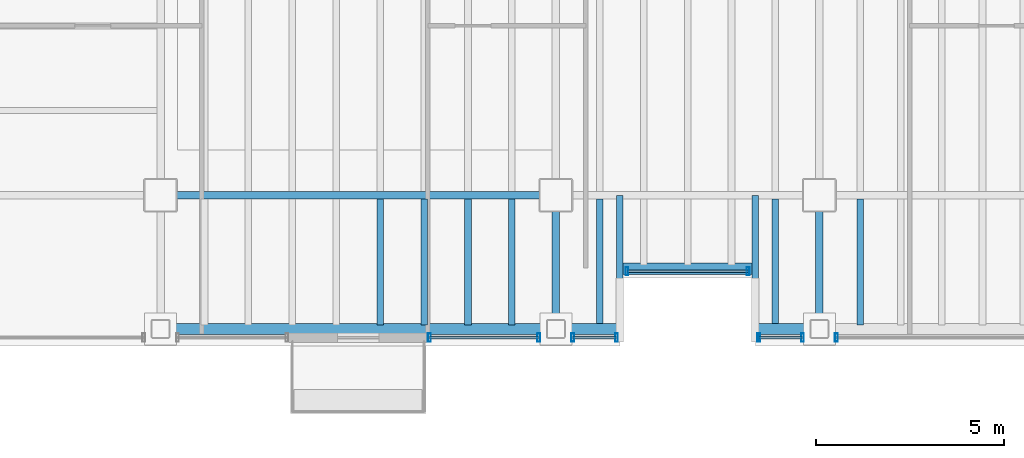
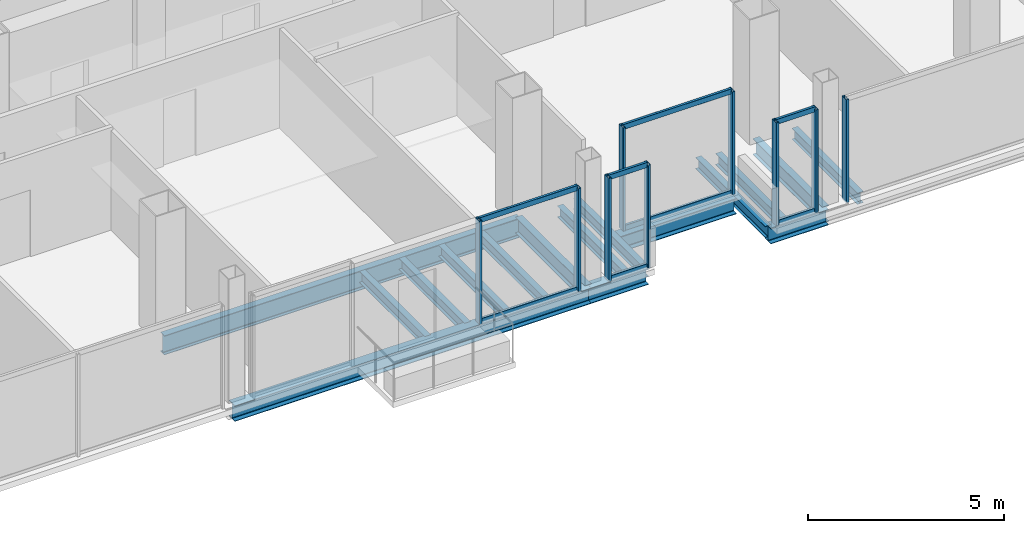
# One storey, part 4 of 19: 17 members, 16 beams, 5 elements without a shape of their own.
"""IFC4 building model written with IfcOpenShell, lengths in metres."""

from ifc_helpers import new_model, si_unit, direction, frame, origin, origin_2d, place, context, subcontext, project, spatial, hollow_rectangle, i_section, extrude, material, material_profile, profile_set, type_object, element, aggregate, save


model = new_model("IFC4")

# Units and contexts
model_context = context("Model", 3, precision=1e-05, world=origin(), true_north=direction((0.0, 1.0)))
body_context = subcontext(model_context, "Body", "Model", "MODEL_VIEW")
ifc_project = project(units=[si_unit("LENGTHUNIT", "METRE"), si_unit("AREAUNIT", "SQUARE_METRE"), si_unit("VOLUMEUNIT", "CUBIC_METRE"), si_unit("PLANEANGLEUNIT", "RADIAN"), si_unit("MASSUNIT", "GRAM", prefix="KILO")], contexts=[model_context])

# Site, building, storey
site_placement = place(None, origin())
site = spatial("IfcSite", under=ifc_project, at=site_placement, CompositionType="ELEMENT")
building_placement = place(site_placement, origin())
building = spatial("IfcBuilding", under=site, at=building_placement, Name="Noeulbin Bourse Tower", CompositionType="ELEMENT")
storey_placement = place(building_placement, frame((0.0, 0.0, 157.800048828125)))
storey = spatial("IfcBuildingStorey", under=building, at=storey_placement, Name="L39", CompositionType="ELEMENT", Elevation=157.800048828125)

# Beams
ifc_material_1 = material(Name="Steel S355", Category="steel")
ifc_material_profile_1 = material_profile(ifc_material_1, i_section(OverallWidth=0.199951171875, OverallDepth=0.5, WebThickness=0.010009765625, FlangeThickness=0.01611328125, FilletRadius=0.02001953125, at=origin_2d()), Name="H-500x200x10x16", Category="LoadBearing")
ifc_profile_set_1 = profile_set([ifc_material_profile_1], Name="Steel S355")
beam_type_1 = type_object("IfcBeamType", Name="BM-GRD-500", PredefinedType="USERDEFINED", material=ifc_profile_set_1)
for number, where, z_axis, x_axis, name in (
    (1, (24.0, 16.449951171875, -0.429931640625), (0.0, 1.0, 0.0), (-1.0, 0.0, 0.0), "Tower Primary Girder NS L39-2.1"),
    (2, (31.0, 16.449951171875, -0.429931640625), (0.0, 1.0, 0.0), (-1.0, 0.0, 0.0), "Tower Primary Girder NS L39-3.1"),
):
    element("IfcBeam", number, at=place(storey_placement, frame(where, z_axis=z_axis, x_axis=x_axis)), inside=storey, type_object=beam_type_1, Name=name, ObjectType="GIRDER", PredefinedType="USERDEFINED", context=body_context, shape_type="SweptSolid", body=[
        extrude(i_section(OverallWidth=0.199951171875, OverallDepth=0.5, WebThickness=0.010009765625, FlangeThickness=0.01611328125, FilletRadius=0.02001953125, at=origin_2d()), origin(), (0.0, 0.0, 1.0), 3.550048828125),
    ])
ifc_material_profile_2 = material_profile(ifc_material_1, i_section(OverallWidth=0.199951171875, OverallDepth=0.60009765625, WebThickness=0.010986328125, FlangeThickness=0.01708984375, FilletRadius=0.02197265625, at=origin_2d()), Name="H-600x200x11x17", Category="LoadBearing")
ifc_profile_set_2 = profile_set([ifc_material_profile_2], Name="Steel S355")
beam_type_2 = type_object("IfcBeamType", Name="BM-GRD-600", PredefinedType="USERDEFINED", material=ifc_profile_set_2)
beam_1_placement = place(storey_placement, frame((13.5, 20.0, -0.47998046875), z_axis=(1.0, 0.0, 0.0), x_axis=(0.0, 1.0, 0.0)))
element("IfcBeam", 3, at=beam_1_placement, inside=storey, type_object=beam_type_2, Name="Tower Primary Girder EW L39-1.2", ObjectType="GIRDER", PredefinedType="USERDEFINED", context=body_context, shape_type="SweptSolid", body=[
    extrude(i_section(OverallWidth=0.199951171875, OverallDepth=0.60009765625, WebThickness=0.010986328125, FlangeThickness=0.01708984375, FilletRadius=0.02197265625, at=origin_2d()), origin(), (0.0, 0.0, 1.0), 10.5),
])
ifc_material_profile_3 = material_profile(ifc_material_1, i_section(OverallWidth=0.175048828125, OverallDepth=0.35009765625, WebThickness=0.007080078125, FlangeThickness=0.010986328125, FilletRadius=0.013916015625, at=origin_2d()), Name="H-350x175x7x11", Category="LoadBearing")
ifc_profile_set_3 = profile_set([ifc_material_profile_3], Name="Steel S355")
beam_type_3 = type_object("IfcBeamType", Name="BM-JST-350", PredefinedType="JOIST", material=ifc_profile_set_3)
for number, where, z_axis, x_axis, name in (
    (4, (25.699951171875, 16.449951171875, -0.35498046875), (0.0, 1.0, 0.0), (-1.0, 0.0, 0.0), "BM-L39-SRT-W"),
    (5, (29.300048828125, 16.449951171875, -0.35498046875), (0.0, 1.0, 0.0), (-1.0, 0.0, 0.0), "BM-L39-SRT-E"),
):
    element("IfcBeam", number, at=place(storey_placement, frame(where, z_axis=z_axis, x_axis=x_axis)), inside=storey, type_object=beam_type_3, Name=name, PredefinedType="JOIST", context=body_context, shape_type="SweptSolid", body=[
        extrude(i_section(OverallWidth=0.175048828125, OverallDepth=0.35009765625, WebThickness=0.007080078125, FlangeThickness=0.010986328125, FilletRadius=0.013916015625, at=origin_2d()), origin(), (0.0, 0.0, 1.0), 3.550048828125),
    ])
for number, where, z_axis, x_axis, name in (
    (6, (19.333251953125, 16.550048828125, -0.35498046875), (0.0, 1.0, 0.0), (-1.0, 0.0, 0.0), "Tower Composite Joist L39-13"),
    (7, (20.5, 16.550048828125, -0.35498046875), (0.0, 1.0, 0.0), (-1.0, 0.0, 0.0), "Tower Composite Joist L39-16"),
    (8, (21.666748046875, 16.550048828125, -0.35498046875), (0.0, 1.0, 0.0), (-1.0, 0.0, 0.0), "Tower Composite Joist L39-19"),
    (9, (22.833251953125, 16.550048828125, -0.35498046875), (0.0, 1.0, 0.0), (-1.0, 0.0, 0.0), "Tower Composite Joist L39-22"),
    (10, (25.166748046875, 16.550048828125, -0.35498046875), (0.0, 1.0, 0.0), (-1.0, 0.0, 0.0), "Tower Composite Joist L39-25"),
    (11, (29.833251953125, 16.550048828125, -0.35498046875), (0.0, 1.0, 0.0), (-1.0, 0.0, 0.0), "Tower Composite Joist L39-37"),
    (12, (32.083251953125, 16.550048828125, -0.35498046875), (0.0, 1.0, 0.0), (-1.0, 0.0, 0.0), "Tower Composite Joist L39-40"),
):
    element("IfcBeam", number, at=place(storey_placement, frame(where, z_axis=z_axis, x_axis=x_axis)), inside=storey, type_object=beam_type_3, Name=name, PredefinedType="JOIST", context=body_context, shape_type="SweptSolid", body=[
        extrude(i_section(OverallWidth=0.175048828125, OverallDepth=0.35009765625, WebThickness=0.007080078125, FlangeThickness=0.010986328125, FilletRadius=0.013916015625, at=origin_2d()), origin(), (0.0, 0.0, 1.0), 3.349853515625),
    ])
ifc_material_profile_4 = material_profile(ifc_material_1, i_section(OverallWidth=0.300048828125, OverallDepth=0.488037109375, WebThickness=0.010986328125, FlangeThickness=0.01806640625, FilletRadius=0.02197265625, at=origin_2d()), Name="H-488x300x11x18", Category="LoadBearing")
ifc_profile_set_4 = profile_set([ifc_material_profile_4], Name="Steel S355")
beam_type_4 = type_object("IfcBeamType", Name="BM-SPN-488", PredefinedType="SPANDREL", material=ifc_profile_set_4)
beam_2_placement = place(storey_placement, frame((13.5, 16.449951171875, -0.424072265625), z_axis=(1.0, 0.0, 0.0), x_axis=(0.0, 1.0, 0.0)))
element("IfcBeam", 13, at=beam_2_placement, inside=storey, type_object=beam_type_4, Name="South Spandrel L39-1", PredefinedType="SPANDREL", context=body_context, shape_type="SweptSolid", body=[
    extrude(i_section(OverallWidth=0.300048828125, OverallDepth=0.488037109375, WebThickness=0.010986328125, FlangeThickness=0.01806640625, FilletRadius=0.02197265625, at=origin_2d()), origin(), (0.0, 0.0, 1.0), 10.5),
])
beam_3_placement = place(storey_placement, frame((25.78759765625, 18.050048828125, -0.424072265625), z_axis=(1.0, 0.0, 0.0), x_axis=(0.0, 1.0, 0.0)))
element("IfcBeam", 14, at=beam_3_placement, inside=storey, type_object=beam_type_4, Name="South Recess Spandrel L39-2B", PredefinedType="SPANDREL", context=body_context, shape_type="SweptSolid", body=[
    extrude(i_section(OverallWidth=0.300048828125, OverallDepth=0.488037109375, WebThickness=0.010986328125, FlangeThickness=0.01806640625, FilletRadius=0.02197265625, at=origin_2d()), origin(), (0.0, 0.0, 1.0), 3.4248046875),
])
for number, where, z_axis, x_axis, name in (
    (15, (24.0, 16.449951171875, -0.424072265625), (1.0, 0.0, 0.0), (0.0, 1.0, 0.0), "South Spandrel L39-2A"),
    (16, (29.300048828125, 16.449951171875, -0.424072265625), (1.0, 0.0, 0.0), (0.0, 1.0, 0.0), "South Spandrel L39-2C"),
):
    element("IfcBeam", number, at=place(storey_placement, frame(where, z_axis=z_axis, x_axis=x_axis)), inside=storey, type_object=beam_type_4, Name=name, PredefinedType="SPANDREL", context=body_context, shape_type="SweptSolid", body=[
        extrude(i_section(OverallWidth=0.300048828125, OverallDepth=0.488037109375, WebThickness=0.010986328125, FlangeThickness=0.01806640625, FilletRadius=0.02197265625, at=origin_2d()), origin(), (0.0, 0.0, 1.0), 1.699951171875),
    ])

# Curtain wall, members
ifc_material_2 = material(Name="Dark Tinted Triple Glazing", Category="glass")
curtain_wall_type = type_object("IfcCurtainWallType", Name="CW-SYS-3", PredefinedType="NOTDEFINED", material=ifc_material_2)
curtain_wall_1_placement = place(storey_placement, origin())
curtain_wall_1 = element("IfcCurtainWall", 17, at=curtain_wall_1_placement, inside=storey, type_object=curtain_wall_type, Name="Unitised Curtain Wall CW-L39-SREC", PredefinedType="NOTDEFINED")
ifc_material_3 = material(Name="Anodised Aluminium 6063-T6", Category="aluminium")
ifc_material_profile_5 = material_profile(ifc_material_3, hollow_rectangle(XDim=0.074951171875, YDim=0.219970703125, WallThickness=0.0048828125, InnerFilletRadius=0.00244140625, OuterFilletRadius=0.0048828125, at=origin_2d()), Name="ALU-MULL-75x220x5", Category="LoadBearing")
ifc_profile_set_5 = profile_set([ifc_material_profile_5], Name="Anodised Aluminium 6063-T6")
member_type_1 = type_object("IfcMemberType", Name="CW-SYS-3-MUL", PredefinedType="MULLION", material=ifc_profile_set_5)
member_1_placement = place(storey_placement, frame((25.889892578125, 17.97998046875, -0.02001953125), z_axis=(0.0, 0.0, 1.0), x_axis=(1.0, 0.0, 0.0)))
member_1 = element("IfcMember", 18, at=member_1_placement, type_object=member_type_1, Name="Curtain Wall Mullion CW-L39-SREC-M00", PredefinedType="MULLION", context=body_context, shape_type="SweptSolid", body=[
    extrude(hollow_rectangle(XDim=0.074951171875, YDim=0.219970703125, WallThickness=0.0048828125, InnerFilletRadius=0.00244140625, OuterFilletRadius=0.0048828125, at=origin_2d()), origin(), (0.0, 0.0, 1.0), 3.219970703125),
])
member_2_placement = place(storey_placement, frame((29.110107421875, 17.97998046875, -0.02001953125), z_axis=(0.0, 0.0, 1.0), x_axis=(1.0, 0.0, 0.0)))
member_2 = element("IfcMember", 19, at=member_2_placement, type_object=member_type_1, Name="Curtain Wall Mullion CW-L39-SREC-M01", PredefinedType="MULLION", context=body_context, shape_type="SweptSolid", body=[
    extrude(hollow_rectangle(XDim=0.074951171875, YDim=0.219970703125, WallThickness=0.0048828125, InnerFilletRadius=0.00244140625, OuterFilletRadius=0.0048828125, at=origin_2d()), origin(), (0.0, 0.0, 1.0), 3.219970703125),
])

curtain_wall_2_placement = place(storey_placement, origin())
curtain_wall_2 = element("IfcCurtainWall", 20, at=curtain_wall_2_placement, inside=storey, type_object=curtain_wall_type, Name="Unitised Curtain Wall CW-L39-S2-S1", PredefinedType="NOTDEFINED")
member_3_placement = place(storey_placement, frame((20.639892578125, 16.219970703125, -0.02001953125), z_axis=(0.0, 0.0, 1.0), x_axis=(1.0, 0.0, 0.0)))
member_3 = element("IfcMember", 21, at=member_3_placement, type_object=member_type_1, Name="Curtain Wall Mullion CW-L39-S2-S1-M00", PredefinedType="MULLION", context=body_context, shape_type="SweptSolid", body=[
    extrude(hollow_rectangle(XDim=0.074951171875, YDim=0.219970703125, WallThickness=0.0048828125, InnerFilletRadius=0.00244140625, OuterFilletRadius=0.0048828125, at=origin_2d()), origin(), (0.0, 0.0, 1.0), 3.219970703125),
])
member_4_placement = place(storey_placement, frame((23.550048828125, 16.219970703125, -0.02001953125), z_axis=(0.0, 0.0, 1.0), x_axis=(1.0, 0.0, 0.0)))
member_4 = element("IfcMember", 22, at=member_4_placement, type_object=member_type_1, Name="Curtain Wall Mullion CW-L39-S2-S1-M01", PredefinedType="MULLION", context=body_context, shape_type="SweptSolid", body=[
    extrude(hollow_rectangle(XDim=0.074951171875, YDim=0.219970703125, WallThickness=0.0048828125, InnerFilletRadius=0.00244140625, OuterFilletRadius=0.0048828125, at=origin_2d()), origin(), (0.0, 0.0, 1.0), 3.219970703125),
])

curtain_wall_3_placement = place(storey_placement, origin())
curtain_wall_3 = element("IfcCurtainWall", 23, at=curtain_wall_3_placement, inside=storey, type_object=curtain_wall_type, Name="Unitised Curtain Wall CW-L39-S2-S2", PredefinedType="NOTDEFINED")
member_5_placement = place(storey_placement, frame((24.449951171875, 16.219970703125, -0.02001953125), z_axis=(0.0, 0.0, 1.0), x_axis=(1.0, 0.0, 0.0)))
member_5 = element("IfcMember", 24, at=member_5_placement, type_object=member_type_1, Name="Curtain Wall Mullion CW-L39-S2-S2-M00", PredefinedType="MULLION", context=body_context, shape_type="SweptSolid", body=[
    extrude(hollow_rectangle(XDim=0.074951171875, YDim=0.219970703125, WallThickness=0.0048828125, InnerFilletRadius=0.00244140625, OuterFilletRadius=0.0048828125, at=origin_2d()), origin(), (0.0, 0.0, 1.0), 3.219970703125),
])
member_6_placement = place(storey_placement, frame((25.610107421875, 16.219970703125, -0.02001953125), z_axis=(0.0, 0.0, 1.0), x_axis=(1.0, 0.0, 0.0)))
member_6 = element("IfcMember", 25, at=member_6_placement, type_object=member_type_1, Name="Curtain Wall Mullion CW-L39-S2-S2-M01", PredefinedType="MULLION", context=body_context, shape_type="SweptSolid", body=[
    extrude(hollow_rectangle(XDim=0.074951171875, YDim=0.219970703125, WallThickness=0.0048828125, InnerFilletRadius=0.00244140625, OuterFilletRadius=0.0048828125, at=origin_2d()), origin(), (0.0, 0.0, 1.0), 3.219970703125),
])

curtain_wall_4_placement = place(storey_placement, origin())
curtain_wall_4 = element("IfcCurtainWall", 26, at=curtain_wall_4_placement, inside=storey, type_object=curtain_wall_type, Name="Unitised Curtain Wall CW-L39-S3-S1", PredefinedType="NOTDEFINED")
member_7_placement = place(storey_placement, frame((29.389892578125, 16.219970703125, -0.02001953125), z_axis=(0.0, 0.0, 1.0), x_axis=(1.0, 0.0, 0.0)))
member_7 = element("IfcMember", 27, at=member_7_placement, type_object=member_type_1, Name="Curtain Wall Mullion CW-L39-S3-S1-M00", PredefinedType="MULLION", context=body_context, shape_type="SweptSolid", body=[
    extrude(hollow_rectangle(XDim=0.074951171875, YDim=0.219970703125, WallThickness=0.0048828125, InnerFilletRadius=0.00244140625, OuterFilletRadius=0.0048828125, at=origin_2d()), origin(), (0.0, 0.0, 1.0), 3.219970703125),
])
member_8_placement = place(storey_placement, frame((30.550048828125, 16.219970703125, -0.02001953125), z_axis=(0.0, 0.0, 1.0), x_axis=(1.0, 0.0, 0.0)))
member_8 = element("IfcMember", 28, at=member_8_placement, type_object=member_type_1, Name="Curtain Wall Mullion CW-L39-S3-S1-M01", PredefinedType="MULLION", context=body_context, shape_type="SweptSolid", body=[
    extrude(hollow_rectangle(XDim=0.074951171875, YDim=0.219970703125, WallThickness=0.0048828125, InnerFilletRadius=0.00244140625, OuterFilletRadius=0.0048828125, at=origin_2d()), origin(), (0.0, 0.0, 1.0), 3.219970703125),
])

# Curtain wall, member
curtain_wall_5_placement = place(storey_placement, origin())
curtain_wall_5 = element("IfcCurtainWall", 29, at=curtain_wall_5_placement, inside=storey, type_object=curtain_wall_type, Name="Unitised Curtain Wall CW-L39-S3-S2", PredefinedType="NOTDEFINED")
member_9_placement = place(storey_placement, frame((31.449951171875, 16.219970703125, -0.02001953125), z_axis=(0.0, 0.0, 1.0), x_axis=(1.0, 0.0, 0.0)))
member_9 = element("IfcMember", 30, at=member_9_placement, type_object=member_type_1, Name="Curtain Wall Mullion CW-L39-S3-S2-M00", PredefinedType="MULLION", context=body_context, shape_type="SweptSolid", body=[
    extrude(hollow_rectangle(XDim=0.074951171875, YDim=0.219970703125, WallThickness=0.0048828125, InnerFilletRadius=0.00244140625, OuterFilletRadius=0.0048828125, at=origin_2d()), origin(), (0.0, 0.0, 1.0), 3.219970703125),
])
aggregate(curtain_wall_5, [member_9])

# Member
ifc_material_profile_6 = material_profile(ifc_material_3, hollow_rectangle(XDim=0.074951171875, YDim=0.159912109375, WallThickness=0.0048828125, InnerFilletRadius=0.00244140625, OuterFilletRadius=0.0048828125, at=origin_2d()), Name="ALU-TRAN-75x160x5", Category="LoadBearing")
ifc_profile_set_6 = profile_set([ifc_material_profile_6], Name="Anodised Aluminium 6063-T6")
member_type_2 = type_object("IfcMemberType", Name="CW-SYS-3-TRN", PredefinedType="USERDEFINED", material=ifc_profile_set_6)
member_10_placement = place(storey_placement, frame((25.89990234375, 17.97998046875, 0.010009765625), z_axis=(1.0, 0.0, 0.0), x_axis=(0.0, 1.0, 0.0)))
member_10 = element("IfcMember", 31, at=member_10_placement, type_object=member_type_2, Name="Curtain Wall Transom CW-L39-SREC-T00", ObjectType="TRANSOM", PredefinedType="USERDEFINED", context=body_context, shape_type="SweptSolid", body=[
    extrude(hollow_rectangle(XDim=0.074951171875, YDim=0.159912109375, WallThickness=0.0048828125, InnerFilletRadius=0.00244140625, OuterFilletRadius=0.0048828125, at=origin_2d()), origin(), (0.0, 0.0, 1.0), 3.2001953125),
])

member_11_placement = place(storey_placement, frame((25.89990234375, 17.97998046875, 3.169921875), z_axis=(1.0, 0.0, 0.0), x_axis=(0.0, 1.0, 0.0)))
member_11 = element("IfcMember", 32, at=member_11_placement, type_object=member_type_2, Name="Curtain Wall Transom CW-L39-SREC-T01", ObjectType="TRANSOM", PredefinedType="USERDEFINED", context=body_context, shape_type="SweptSolid", body=[
    extrude(hollow_rectangle(XDim=0.074951171875, YDim=0.159912109375, WallThickness=0.0048828125, InnerFilletRadius=0.00244140625, OuterFilletRadius=0.0048828125, at=origin_2d()), origin(), (0.0, 0.0, 1.0), 3.2001953125),
])

aggregate(curtain_wall_1, [member_1, member_2, member_10, member_11])

member_12_placement = place(storey_placement, frame((20.64990234375, 16.219970703125, 0.010009765625), z_axis=(1.0, 0.0, 0.0), x_axis=(0.0, 1.0, 0.0)))
member_12 = element("IfcMember", 33, at=member_12_placement, type_object=member_type_2, Name="Curtain Wall Transom CW-L39-S2-S1-T00", ObjectType="TRANSOM", PredefinedType="USERDEFINED", context=body_context, shape_type="SweptSolid", body=[
    extrude(hollow_rectangle(XDim=0.074951171875, YDim=0.159912109375, WallThickness=0.0048828125, InnerFilletRadius=0.00244140625, OuterFilletRadius=0.0048828125, at=origin_2d()), origin(), (0.0, 0.0, 1.0), 2.89013671875),
])

member_13_placement = place(storey_placement, frame((20.64990234375, 16.219970703125, 3.169921875), z_axis=(1.0, 0.0, 0.0), x_axis=(0.0, 1.0, 0.0)))
member_13 = element("IfcMember", 34, at=member_13_placement, type_object=member_type_2, Name="Curtain Wall Transom CW-L39-S2-S1-T01", ObjectType="TRANSOM", PredefinedType="USERDEFINED", context=body_context, shape_type="SweptSolid", body=[
    extrude(hollow_rectangle(XDim=0.074951171875, YDim=0.159912109375, WallThickness=0.0048828125, InnerFilletRadius=0.00244140625, OuterFilletRadius=0.0048828125, at=origin_2d()), origin(), (0.0, 0.0, 1.0), 2.89013671875),
])

aggregate(curtain_wall_2, [member_3, member_4, member_12, member_13])

member_14_placement = place(storey_placement, frame((24.4599609375, 16.219970703125, 0.010009765625), z_axis=(1.0, 0.0, 0.0), x_axis=(0.0, 1.0, 0.0)))
member_14 = element("IfcMember", 35, at=member_14_placement, type_object=member_type_2, Name="Curtain Wall Transom CW-L39-S2-S2-T00", ObjectType="TRANSOM", PredefinedType="USERDEFINED", context=body_context, shape_type="SweptSolid", body=[
    extrude(hollow_rectangle(XDim=0.074951171875, YDim=0.159912109375, WallThickness=0.0048828125, InnerFilletRadius=0.00244140625, OuterFilletRadius=0.0048828125, at=origin_2d()), origin(), (0.0, 0.0, 1.0), 1.14013671875),
])

member_15_placement = place(storey_placement, frame((24.4599609375, 16.219970703125, 3.169921875), z_axis=(1.0, 0.0, 0.0), x_axis=(0.0, 1.0, 0.0)))
member_15 = element("IfcMember", 36, at=member_15_placement, type_object=member_type_2, Name="Curtain Wall Transom CW-L39-S2-S2-T01", ObjectType="TRANSOM", PredefinedType="USERDEFINED", context=body_context, shape_type="SweptSolid", body=[
    extrude(hollow_rectangle(XDim=0.074951171875, YDim=0.159912109375, WallThickness=0.0048828125, InnerFilletRadius=0.00244140625, OuterFilletRadius=0.0048828125, at=origin_2d()), origin(), (0.0, 0.0, 1.0), 1.14013671875),
])

aggregate(curtain_wall_3, [member_5, member_6, member_14, member_15])

member_16_placement = place(storey_placement, frame((29.39990234375, 16.219970703125, 0.010009765625), z_axis=(1.0, 0.0, 0.0), x_axis=(0.0, 1.0, 0.0)))
member_16 = element("IfcMember", 37, at=member_16_placement, type_object=member_type_2, Name="Curtain Wall Transom CW-L39-S3-S1-T00", ObjectType="TRANSOM", PredefinedType="USERDEFINED", context=body_context, shape_type="SweptSolid", body=[
    extrude(hollow_rectangle(XDim=0.074951171875, YDim=0.159912109375, WallThickness=0.0048828125, InnerFilletRadius=0.00244140625, OuterFilletRadius=0.0048828125, at=origin_2d()), origin(), (0.0, 0.0, 1.0), 1.14013671875),
])

member_17_placement = place(storey_placement, frame((29.39990234375, 16.219970703125, 3.169921875), z_axis=(1.0, 0.0, 0.0), x_axis=(0.0, 1.0, 0.0)))
member_17 = element("IfcMember", 38, at=member_17_placement, type_object=member_type_2, Name="Curtain Wall Transom CW-L39-S3-S1-T01", ObjectType="TRANSOM", PredefinedType="USERDEFINED", context=body_context, shape_type="SweptSolid", body=[
    extrude(hollow_rectangle(XDim=0.074951171875, YDim=0.159912109375, WallThickness=0.0048828125, InnerFilletRadius=0.00244140625, OuterFilletRadius=0.0048828125, at=origin_2d()), origin(), (0.0, 0.0, 1.0), 1.14013671875),
])

aggregate(curtain_wall_4, [member_7, member_8, member_16, member_17])

save(model, "model.ifc")
